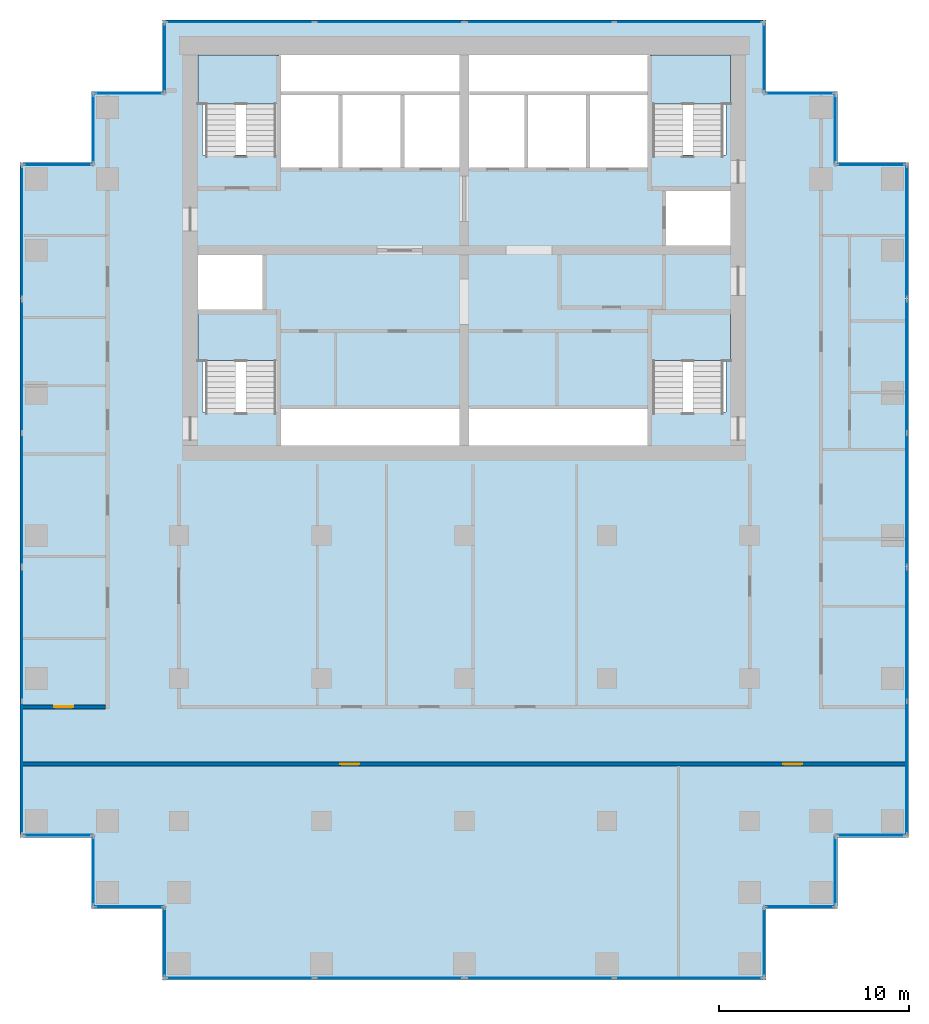
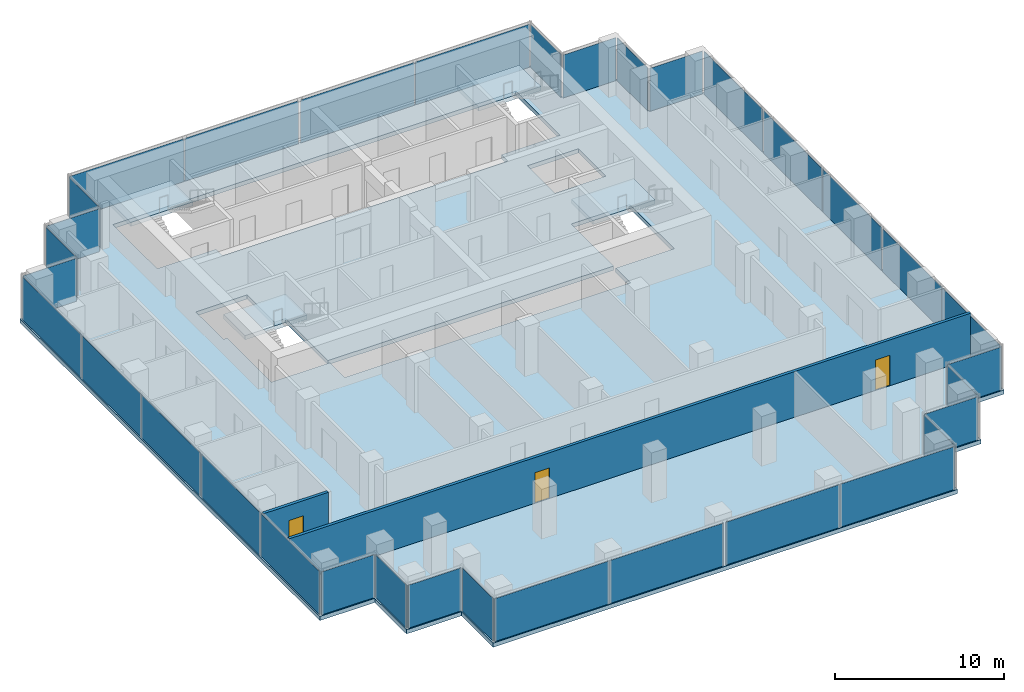
# One storey, part 6 of 10: 34 plates, 5 slabs, 3 doors, 2 walls, 3 openings, 30 elements without a shape of their own.
"""IFC4 building model written with IfcOpenShell, lengths in metres."""

from ifc_helpers import new_model, si_unit, direction, frame, frame_2d, origin, origin_2d, place, context, subcontext, project, spatial, polyline, rectangle, outline, extrude, material, layer, layer_set, type_object, element, fill, aggregate, save


model = new_model("IFC4")

# Units and contexts
model_context = context("Model", 3, precision=1e-05, world=origin(), true_north=direction((0.0, 1.0)))
body_context = subcontext(model_context, "Body", "Model", "MODEL_VIEW")
ifc_project = project(units=[si_unit("LENGTHUNIT", "METRE"), si_unit("AREAUNIT", "SQUARE_METRE"), si_unit("VOLUMEUNIT", "CUBIC_METRE"), si_unit("PLANEANGLEUNIT", "RADIAN"), si_unit("MASSUNIT", "GRAM", prefix="KILO")], contexts=[model_context])

# Site, building, storey
site_placement = place(None, origin())
site = spatial("IfcSite", under=ifc_project, at=site_placement, CompositionType="ELEMENT")
building_placement = place(site_placement, origin())
building = spatial("IfcBuilding", under=site, at=building_placement, Name="Pilkhan Gate Tower", CompositionType="ELEMENT")
storey_placement = place(building_placement, frame((0.0, 0.0, 176.5)))
storey = spatial("IfcBuildingStorey", under=building, at=storey_placement, Name="L45", CompositionType="ELEMENT", Elevation=176.5)

# Slab
ifc_material_1 = material(Name="Concrete C40/50", Category="concrete")
ifc_layer_1 = layer(ifc_material_1, 0.300048828125)
ifc_layer_set_1 = layer_set([ifc_layer_1], Name="Flat plate slab FP300")
slab_type_1 = type_object("IfcSlabType", Name="Flat plate slab FP300", PredefinedType="FLOOR", material=ifc_layer_set_1)
slab_1_placement = place(storey_placement, frame((0.0, 0.0, -0.300048828125)))
element("IfcSlab", 1, at=slab_1_placement, inside=storey, type_object=slab_type_1, Name="Floor slab L45", PredefinedType="FLOOR", context=body_context, shape_type="SweptSolid", body=[
    extrude(outline(polyline([(94.60009765625, 47.89990234375), (90.85009765625, 47.89990234375), (90.85009765625, 44.14990234375), (59.14990234375, 44.14990234375), (59.14990234375, 47.89990234375), (55.39990234375, 47.89990234375), (55.39990234375, 51.64990234375), (51.64990234375, 51.64990234375), (51.64990234375, 87.10009765625), (55.39990234375, 87.10009765625), (55.39990234375, 90.85009765625), (59.14990234375, 90.85009765625), (59.14990234375, 94.60009765625), (90.85009765625, 94.60009765625), (90.85009765625, 90.85009765625), (94.60009765625, 90.85009765625), (94.60009765625, 87.10009765625), (98.35009765625, 87.10009765625), (98.35009765625, 51.64990234375), (94.60009765625, 51.64990234375), (94.60009765625, 47.89990234375)]), holes=[polyline([(75.0, 72.25), (84.75, 72.25), (84.75, 74.0), (88.75, 74.0), (88.75, 79.25), (84.75, 79.25), (84.75, 74.25), (75.0, 74.25), (65.25, 74.25), (65.25, 79.25), (64.5, 79.25), (64.5, 82.5), (61.25, 82.5), (61.0, 82.5), (61.0, 79.25), (61.25, 79.25), (61.25, 74.0), (65.25, 74.0), (65.25, 72.25), (75.0, 72.25)]), polyline([(68.5, 86.75), (71.75, 86.75), (75.0, 86.75), (78.25, 86.75), (81.5, 86.75), (84.75, 86.75), (84.75, 87.5), (88.75, 87.5), (88.75, 92.75), (84.75, 92.75), (75.0, 92.75), (65.25, 92.75), (61.25, 92.75), (61.25, 87.5), (65.25, 87.5), (65.25, 86.75), (68.5, 86.75)]), polyline([(85.5, 85.75), (85.5, 82.5), (88.75, 82.5), (89.0, 82.5), (89.0, 85.75), (88.75, 85.75), (85.5, 85.75)])]), origin(), (0.0, 0.0, 1.0), 0.300048828125),
])

# Curtain wall, plates
ifc_material_2 = material(Name="Pale anodised aluminium, clear low-iron double glazing", Category="aluminium")
curtain_wall_type = type_object("IfcCurtainWallType", Name="Office unitised curtain wall CW-O1", PredefinedType="USERDEFINED", material=ifc_material_2)
curtain_wall_1_placement = place(storey_placement, origin())
curtain_wall_1 = element("IfcCurtainWall", 2, at=curtain_wall_1_placement, inside=storey, type_object=curtain_wall_type, Name="Office unitised curtain wall CW-O1 L45 E", ObjectType="UNITISED CURTAIN WALL", PredefinedType="USERDEFINED")
ifc_material_3 = material(Name="Clear low-iron double glazing", Category="glass")
ifc_layer_2 = layer(ifc_material_3, 0.0400390625)
ifc_layer_set_2 = layer_set([ifc_layer_2], Name="Glass panel CW-O1 40")
plate_type = type_object("IfcPlateType", Name="Glass panel CW-O1 40", PredefinedType="CURTAIN_PANEL", material=ifc_layer_set_2)
plate_1_placement = place(storey_placement, frame((98.25, 55.29248046875, 0.0), z_axis=(0.0, 0.0, 1.0), x_axis=(0.0, 1.0, 0.0)))
plate_1 = element("IfcPlate", 3, at=plate_1_placement, type_object=plate_type, Name="CW-O1 panel 1", PredefinedType="CURTAIN_PANEL", context=body_context, shape_type="SweptSolid", body=[
    extrude(rectangle(XDim=6.945068359375, YDim=0.0400390625, at=origin_2d()), origin(), (0.0, 0.0, 1.0), 3.10009765625),
])
plate_2_placement = place(storey_placement, frame((98.25, 62.3076171875, 0.0), z_axis=(0.0, 0.0, 1.0), x_axis=(0.0, 1.0, 0.0)))
plate_2 = element("IfcPlate", 4, at=plate_2_placement, type_object=plate_type, Name="CW-O1 panel 2", PredefinedType="CURTAIN_PANEL", context=body_context, shape_type="SweptSolid", body=[
    extrude(rectangle(XDim=6.945068359375, YDim=0.0400390625, at=origin_2d()), origin(), (0.0, 0.0, 1.0), 3.10009765625),
])
aggregate(curtain_wall_1, [plate_1, plate_2])

curtain_wall_2_placement = place(storey_placement, origin())
curtain_wall_2 = element("IfcCurtainWall", 5, at=curtain_wall_2_placement, inside=storey, type_object=curtain_wall_type, Name="Office unitised curtain wall CW-O1 L45 E", ObjectType="UNITISED CURTAIN WALL", PredefinedType="USERDEFINED")
plate_3_placement = place(storey_placement, frame((98.25, 69.392578125, 0.0), z_axis=(0.0, 0.0, 1.0), x_axis=(0.0, 1.0, 0.0)))
plate_3 = element("IfcPlate", 6, at=plate_3_placement, type_object=plate_type, Name="CW-O1 panel 1", PredefinedType="CURTAIN_PANEL", context=body_context, shape_type="SweptSolid", body=[
    extrude(rectangle(XDim=6.945068359375, YDim=0.0400390625, at=origin_2d()), origin(), (0.0, 0.0, 1.0), 3.10009765625),
])
plate_4_placement = place(storey_placement, frame((98.25, 76.407470703125, 0.0), z_axis=(0.0, 0.0, 1.0), x_axis=(0.0, 1.0, 0.0)))
plate_4 = element("IfcPlate", 7, at=plate_4_placement, type_object=plate_type, Name="CW-O1 panel 2", PredefinedType="CURTAIN_PANEL", context=body_context, shape_type="SweptSolid", body=[
    extrude(rectangle(XDim=6.945068359375, YDim=0.0400390625, at=origin_2d()), origin(), (0.0, 0.0, 1.0), 3.10009765625),
])
aggregate(curtain_wall_2, [plate_3, plate_4])

# Curtain wall, plate
curtain_wall_3_placement = place(storey_placement, origin())
curtain_wall_3 = element("IfcCurtainWall", 8, at=curtain_wall_3_placement, inside=storey, type_object=curtain_wall_type, Name="Office unitised curtain wall CW-O1 L45 E", ObjectType="UNITISED CURTAIN WALL", PredefinedType="USERDEFINED")
plate_5_placement = place(storey_placement, frame((98.25, 83.47509765625, 0.0), z_axis=(0.0, 0.0, 1.0), x_axis=(0.0, 1.0, 0.0)))
plate_5 = element("IfcPlate", 9, at=plate_5_placement, type_object=plate_type, Name="CW-O1 panel 1", PredefinedType="CURTAIN_PANEL", context=body_context, shape_type="SweptSolid", body=[
    extrude(rectangle(XDim=6.909912109375, YDim=0.0400390625, at=origin_2d()), origin(), (0.0, 0.0, 1.0), 3.10009765625),
])
aggregate(curtain_wall_3, [plate_5])

curtain_wall_4_placement = place(storey_placement, origin())
curtain_wall_4 = element("IfcCurtainWall", 10, at=curtain_wall_4_placement, inside=storey, type_object=curtain_wall_type, Name="Office unitised curtain wall CW-O1 L45 N", ObjectType="UNITISED CURTAIN WALL", PredefinedType="USERDEFINED")
plate_6_placement = place(storey_placement, frame((96.375, 87.0, 0.0), z_axis=(0.0, 0.0, 1.0), x_axis=(1.0, 0.0, 0.0)))
plate_6 = element("IfcPlate", 11, at=plate_6_placement, type_object=plate_type, Name="CW-O1 panel 1", PredefinedType="CURTAIN_PANEL", context=body_context, shape_type="SweptSolid", body=[
    extrude(rectangle(XDim=3.610107421875, YDim=0.0400390625, at=origin_2d()), origin(), (0.0, 0.0, 1.0), 3.10009765625),
])
aggregate(curtain_wall_4, [plate_6])

curtain_wall_5_placement = place(storey_placement, origin())
curtain_wall_5 = element("IfcCurtainWall", 12, at=curtain_wall_5_placement, inside=storey, type_object=curtain_wall_type, Name="Office unitised curtain wall CW-O1 L45 E", ObjectType="UNITISED CURTAIN WALL", PredefinedType="USERDEFINED")
plate_7_placement = place(storey_placement, frame((94.5, 88.875, 0.0), z_axis=(0.0, 0.0, 1.0), x_axis=(0.0, 1.0, 0.0)))
plate_7 = element("IfcPlate", 13, at=plate_7_placement, type_object=plate_type, Name="CW-O1 panel 1", PredefinedType="CURTAIN_PANEL", context=body_context, shape_type="SweptSolid", body=[
    extrude(rectangle(XDim=3.610107421875, YDim=0.0400390625, at=origin_2d()), origin(), (0.0, 0.0, 1.0), 3.10009765625),
])
aggregate(curtain_wall_5, [plate_7])

curtain_wall_6_placement = place(storey_placement, origin())
curtain_wall_6 = element("IfcCurtainWall", 14, at=curtain_wall_6_placement, inside=storey, type_object=curtain_wall_type, Name="Office unitised curtain wall CW-O1 L45 N", ObjectType="UNITISED CURTAIN WALL", PredefinedType="USERDEFINED")
plate_8_placement = place(storey_placement, frame((92.625, 90.75, 0.0), z_axis=(0.0, 0.0, 1.0), x_axis=(1.0, 0.0, 0.0)))
plate_8 = element("IfcPlate", 15, at=plate_8_placement, type_object=plate_type, Name="CW-O1 panel 1", PredefinedType="CURTAIN_PANEL", context=body_context, shape_type="SweptSolid", body=[
    extrude(rectangle(XDim=3.610107421875, YDim=0.0400390625, at=origin_2d()), origin(), (0.0, 0.0, 1.0), 3.10009765625),
])
aggregate(curtain_wall_6, [plate_8])

curtain_wall_7_placement = place(storey_placement, origin())
curtain_wall_7 = element("IfcCurtainWall", 16, at=curtain_wall_7_placement, inside=storey, type_object=curtain_wall_type, Name="Office unitised curtain wall CW-O1 L45 E", ObjectType="UNITISED CURTAIN WALL", PredefinedType="USERDEFINED")
plate_9_placement = place(storey_placement, frame((90.75, 92.625, 0.0), z_axis=(0.0, 0.0, 1.0), x_axis=(0.0, 1.0, 0.0)))
plate_9 = element("IfcPlate", 17, at=plate_9_placement, type_object=plate_type, Name="CW-O1 panel 1", PredefinedType="CURTAIN_PANEL", context=body_context, shape_type="SweptSolid", body=[
    extrude(rectangle(XDim=3.610107421875, YDim=0.0400390625, at=origin_2d()), origin(), (0.0, 0.0, 1.0), 3.10009765625),
])
aggregate(curtain_wall_7, [plate_9])

# Curtain wall, plates
curtain_wall_8_placement = place(storey_placement, origin())
curtain_wall_8 = element("IfcCurtainWall", 18, at=curtain_wall_8_placement, inside=storey, type_object=curtain_wall_type, Name="Office unitised curtain wall CW-O1 L45 N", ObjectType="UNITISED CURTAIN WALL", PredefinedType="USERDEFINED")
plate_10_placement = place(storey_placement, frame((63.205078125, 94.5, 0.0), z_axis=(0.0, 0.0, 1.0), x_axis=(1.0, 0.0, 0.0)))
plate_10 = element("IfcPlate", 19, at=plate_10_placement, type_object=plate_type, Name="CW-O1 panel 1", PredefinedType="CURTAIN_PANEL", context=body_context, shape_type="SweptSolid", body=[
    extrude(rectangle(XDim=7.77001953125, YDim=0.0400390625, at=origin_2d()), origin(), (0.0, 0.0, 1.0), 3.10009765625),
])
plate_11_placement = place(storey_placement, frame((71.044921875, 94.5, 0.0), z_axis=(0.0, 0.0, 1.0), x_axis=(1.0, 0.0, 0.0)))
plate_11 = element("IfcPlate", 20, at=plate_11_placement, type_object=plate_type, Name="CW-O1 panel 2", PredefinedType="CURTAIN_PANEL", context=body_context, shape_type="SweptSolid", body=[
    extrude(rectangle(XDim=7.77001953125, YDim=0.0400390625, at=origin_2d()), origin(), (0.0, 0.0, 1.0), 3.10009765625),
])
aggregate(curtain_wall_8, [plate_10, plate_11])

curtain_wall_9_placement = place(storey_placement, origin())
curtain_wall_9 = element("IfcCurtainWall", 21, at=curtain_wall_9_placement, inside=storey, type_object=curtain_wall_type, Name="Office unitised curtain wall CW-O1 L45 N", ObjectType="UNITISED CURTAIN WALL", PredefinedType="USERDEFINED")
plate_12_placement = place(storey_placement, frame((78.955078125, 94.5, 0.0), z_axis=(0.0, 0.0, 1.0), x_axis=(1.0, 0.0, 0.0)))
plate_12 = element("IfcPlate", 22, at=plate_12_placement, type_object=plate_type, Name="CW-O1 panel 1", PredefinedType="CURTAIN_PANEL", context=body_context, shape_type="SweptSolid", body=[
    extrude(rectangle(XDim=7.77001953125, YDim=0.0400390625, at=origin_2d()), origin(), (0.0, 0.0, 1.0), 3.10009765625),
])
plate_13_placement = place(storey_placement, frame((86.794921875, 94.5, 0.0), z_axis=(0.0, 0.0, 1.0), x_axis=(1.0, 0.0, 0.0)))
plate_13 = element("IfcPlate", 23, at=plate_13_placement, type_object=plate_type, Name="CW-O1 panel 2", PredefinedType="CURTAIN_PANEL", context=body_context, shape_type="SweptSolid", body=[
    extrude(rectangle(XDim=7.77001953125, YDim=0.0400390625, at=origin_2d()), origin(), (0.0, 0.0, 1.0), 3.10009765625),
])
aggregate(curtain_wall_9, [plate_12, plate_13])

# Curtain wall, plate
curtain_wall_10_placement = place(storey_placement, origin())
curtain_wall_10 = element("IfcCurtainWall", 24, at=curtain_wall_10_placement, inside=storey, type_object=curtain_wall_type, Name="Office unitised curtain wall CW-O1 L45 W", ObjectType="UNITISED CURTAIN WALL", PredefinedType="USERDEFINED")
plate_14_placement = place(storey_placement, frame((59.25, 92.625, 0.0), z_axis=(0.0, 0.0, 1.0), x_axis=(0.0, 1.0, 0.0)))
plate_14 = element("IfcPlate", 25, at=plate_14_placement, type_object=plate_type, Name="CW-O1 panel 1", PredefinedType="CURTAIN_PANEL", context=body_context, shape_type="SweptSolid", body=[
    extrude(rectangle(XDim=3.610107421875, YDim=0.0400390625, at=origin_2d()), origin(), (0.0, 0.0, 1.0), 3.10009765625),
])
aggregate(curtain_wall_10, [plate_14])

curtain_wall_11_placement = place(storey_placement, origin())
curtain_wall_11 = element("IfcCurtainWall", 26, at=curtain_wall_11_placement, inside=storey, type_object=curtain_wall_type, Name="Office unitised curtain wall CW-O1 L45 N", ObjectType="UNITISED CURTAIN WALL", PredefinedType="USERDEFINED")
plate_15_placement = place(storey_placement, frame((57.375, 90.75, 0.0), z_axis=(0.0, 0.0, 1.0), x_axis=(1.0, 0.0, 0.0)))
plate_15 = element("IfcPlate", 27, at=plate_15_placement, type_object=plate_type, Name="CW-O1 panel 1", PredefinedType="CURTAIN_PANEL", context=body_context, shape_type="SweptSolid", body=[
    extrude(rectangle(XDim=3.610107421875, YDim=0.0400390625, at=origin_2d()), origin(), (0.0, 0.0, 1.0), 3.10009765625),
])
aggregate(curtain_wall_11, [plate_15])

curtain_wall_12_placement = place(storey_placement, origin())
curtain_wall_12 = element("IfcCurtainWall", 28, at=curtain_wall_12_placement, inside=storey, type_object=curtain_wall_type, Name="Office unitised curtain wall CW-O1 L45 W", ObjectType="UNITISED CURTAIN WALL", PredefinedType="USERDEFINED")
plate_16_placement = place(storey_placement, frame((55.5, 88.875, 0.0), z_axis=(0.0, 0.0, 1.0), x_axis=(0.0, 1.0, 0.0)))
plate_16 = element("IfcPlate", 29, at=plate_16_placement, type_object=plate_type, Name="CW-O1 panel 1", PredefinedType="CURTAIN_PANEL", context=body_context, shape_type="SweptSolid", body=[
    extrude(rectangle(XDim=3.610107421875, YDim=0.0400390625, at=origin_2d()), origin(), (0.0, 0.0, 1.0), 3.10009765625),
])
aggregate(curtain_wall_12, [plate_16])

curtain_wall_13_placement = place(storey_placement, origin())
curtain_wall_13 = element("IfcCurtainWall", 30, at=curtain_wall_13_placement, inside=storey, type_object=curtain_wall_type, Name="Office unitised curtain wall CW-O1 L45 N", ObjectType="UNITISED CURTAIN WALL", PredefinedType="USERDEFINED")
plate_17_placement = place(storey_placement, frame((53.625, 87.0, 0.0), z_axis=(0.0, 0.0, 1.0), x_axis=(1.0, 0.0, 0.0)))
plate_17 = element("IfcPlate", 31, at=plate_17_placement, type_object=plate_type, Name="CW-O1 panel 1", PredefinedType="CURTAIN_PANEL", context=body_context, shape_type="SweptSolid", body=[
    extrude(rectangle(XDim=3.610107421875, YDim=0.0400390625, at=origin_2d()), origin(), (0.0, 0.0, 1.0), 3.10009765625),
])
aggregate(curtain_wall_13, [plate_17])

# Curtain wall, plates
curtain_wall_14_placement = place(storey_placement, origin())
curtain_wall_14 = element("IfcCurtainWall", 32, at=curtain_wall_14_placement, inside=storey, type_object=curtain_wall_type, Name="Office unitised curtain wall CW-O1 L45 W", ObjectType="UNITISED CURTAIN WALL", PredefinedType="USERDEFINED")
plate_18_placement = place(storey_placement, frame((51.75, 55.29248046875, 0.0), z_axis=(0.0, 0.0, 1.0), x_axis=(0.0, 1.0, 0.0)))
plate_18 = element("IfcPlate", 33, at=plate_18_placement, type_object=plate_type, Name="CW-O1 panel 1", PredefinedType="CURTAIN_PANEL", context=body_context, shape_type="SweptSolid", body=[
    extrude(rectangle(XDim=6.945068359375, YDim=0.0400390625, at=origin_2d()), origin(), (0.0, 0.0, 1.0), 3.10009765625),
])
plate_19_placement = place(storey_placement, frame((51.75, 62.3076171875, 0.0), z_axis=(0.0, 0.0, 1.0), x_axis=(0.0, 1.0, 0.0)))
plate_19 = element("IfcPlate", 34, at=plate_19_placement, type_object=plate_type, Name="CW-O1 panel 2", PredefinedType="CURTAIN_PANEL", context=body_context, shape_type="SweptSolid", body=[
    extrude(rectangle(XDim=6.945068359375, YDim=0.0400390625, at=origin_2d()), origin(), (0.0, 0.0, 1.0), 3.10009765625),
])
aggregate(curtain_wall_14, [plate_18, plate_19])

curtain_wall_15_placement = place(storey_placement, origin())
curtain_wall_15 = element("IfcCurtainWall", 35, at=curtain_wall_15_placement, inside=storey, type_object=curtain_wall_type, Name="Office unitised curtain wall CW-O1 L45 W", ObjectType="UNITISED CURTAIN WALL", PredefinedType="USERDEFINED")
plate_20_placement = place(storey_placement, frame((51.75, 69.392578125, 0.0), z_axis=(0.0, 0.0, 1.0), x_axis=(0.0, 1.0, 0.0)))
plate_20 = element("IfcPlate", 36, at=plate_20_placement, type_object=plate_type, Name="CW-O1 panel 1", PredefinedType="CURTAIN_PANEL", context=body_context, shape_type="SweptSolid", body=[
    extrude(rectangle(XDim=6.945068359375, YDim=0.0400390625, at=origin_2d()), origin(), (0.0, 0.0, 1.0), 3.10009765625),
])
plate_21_placement = place(storey_placement, frame((51.75, 76.407470703125, 0.0), z_axis=(0.0, 0.0, 1.0), x_axis=(0.0, 1.0, 0.0)))
plate_21 = element("IfcPlate", 37, at=plate_21_placement, type_object=plate_type, Name="CW-O1 panel 2", PredefinedType="CURTAIN_PANEL", context=body_context, shape_type="SweptSolid", body=[
    extrude(rectangle(XDim=6.945068359375, YDim=0.0400390625, at=origin_2d()), origin(), (0.0, 0.0, 1.0), 3.10009765625),
])
aggregate(curtain_wall_15, [plate_20, plate_21])

# Curtain wall, plate
curtain_wall_16_placement = place(storey_placement, origin())
curtain_wall_16 = element("IfcCurtainWall", 38, at=curtain_wall_16_placement, inside=storey, type_object=curtain_wall_type, Name="Office unitised curtain wall CW-O1 L45 W", ObjectType="UNITISED CURTAIN WALL", PredefinedType="USERDEFINED")
plate_22_placement = place(storey_placement, frame((51.75, 83.47509765625, 0.0), z_axis=(0.0, 0.0, 1.0), x_axis=(0.0, 1.0, 0.0)))
plate_22 = element("IfcPlate", 39, at=plate_22_placement, type_object=plate_type, Name="CW-O1 panel 1", PredefinedType="CURTAIN_PANEL", context=body_context, shape_type="SweptSolid", body=[
    extrude(rectangle(XDim=6.909912109375, YDim=0.0400390625, at=origin_2d()), origin(), (0.0, 0.0, 1.0), 3.10009765625),
])
aggregate(curtain_wall_16, [plate_22])

curtain_wall_17_placement = place(storey_placement, origin())
curtain_wall_17 = element("IfcCurtainWall", 40, at=curtain_wall_17_placement, inside=storey, type_object=curtain_wall_type, Name="Office unitised curtain wall CW-O1 L45 S", ObjectType="UNITISED CURTAIN WALL", PredefinedType="USERDEFINED")
plate_23_placement = place(storey_placement, frame((53.625, 51.75, 0.0), z_axis=(0.0, 0.0, 1.0), x_axis=(1.0, 0.0, 0.0)))
plate_23 = element("IfcPlate", 41, at=plate_23_placement, type_object=plate_type, Name="CW-O1 panel 1", PredefinedType="CURTAIN_PANEL", context=body_context, shape_type="SweptSolid", body=[
    extrude(rectangle(XDim=3.610107421875, YDim=0.0400390625, at=origin_2d()), origin(), (0.0, 0.0, 1.0), 3.10009765625),
])
aggregate(curtain_wall_17, [plate_23])

curtain_wall_18_placement = place(storey_placement, origin())
curtain_wall_18 = element("IfcCurtainWall", 42, at=curtain_wall_18_placement, inside=storey, type_object=curtain_wall_type, Name="Office unitised curtain wall CW-O1 L45 W", ObjectType="UNITISED CURTAIN WALL", PredefinedType="USERDEFINED")
plate_24_placement = place(storey_placement, frame((55.5, 49.875, 0.0), z_axis=(0.0, 0.0, 1.0), x_axis=(0.0, 1.0, 0.0)))
plate_24 = element("IfcPlate", 43, at=plate_24_placement, type_object=plate_type, Name="CW-O1 panel 1", PredefinedType="CURTAIN_PANEL", context=body_context, shape_type="SweptSolid", body=[
    extrude(rectangle(XDim=3.610107421875, YDim=0.0400390625, at=origin_2d()), origin(), (0.0, 0.0, 1.0), 3.10009765625),
])
aggregate(curtain_wall_18, [plate_24])

curtain_wall_19_placement = place(storey_placement, origin())
curtain_wall_19 = element("IfcCurtainWall", 44, at=curtain_wall_19_placement, inside=storey, type_object=curtain_wall_type, Name="Office unitised curtain wall CW-O1 L45 S", ObjectType="UNITISED CURTAIN WALL", PredefinedType="USERDEFINED")
plate_25_placement = place(storey_placement, frame((57.375, 48.0, 0.0), z_axis=(0.0, 0.0, 1.0), x_axis=(1.0, 0.0, 0.0)))
plate_25 = element("IfcPlate", 45, at=plate_25_placement, type_object=plate_type, Name="CW-O1 panel 1", PredefinedType="CURTAIN_PANEL", context=body_context, shape_type="SweptSolid", body=[
    extrude(rectangle(XDim=3.610107421875, YDim=0.0400390625, at=origin_2d()), origin(), (0.0, 0.0, 1.0), 3.10009765625),
])
aggregate(curtain_wall_19, [plate_25])

curtain_wall_20_placement = place(storey_placement, origin())
curtain_wall_20 = element("IfcCurtainWall", 46, at=curtain_wall_20_placement, inside=storey, type_object=curtain_wall_type, Name="Office unitised curtain wall CW-O1 L45 W", ObjectType="UNITISED CURTAIN WALL", PredefinedType="USERDEFINED")
plate_26_placement = place(storey_placement, frame((59.25, 46.125, 0.0), z_axis=(0.0, 0.0, 1.0), x_axis=(0.0, 1.0, 0.0)))
plate_26 = element("IfcPlate", 47, at=plate_26_placement, type_object=plate_type, Name="CW-O1 panel 1", PredefinedType="CURTAIN_PANEL", context=body_context, shape_type="SweptSolid", body=[
    extrude(rectangle(XDim=3.610107421875, YDim=0.0400390625, at=origin_2d()), origin(), (0.0, 0.0, 1.0), 3.10009765625),
])
aggregate(curtain_wall_20, [plate_26])

# Curtain wall, plates
curtain_wall_21_placement = place(storey_placement, origin())
curtain_wall_21 = element("IfcCurtainWall", 48, at=curtain_wall_21_placement, inside=storey, type_object=curtain_wall_type, Name="Office unitised curtain wall CW-O1 L45 S", ObjectType="UNITISED CURTAIN WALL", PredefinedType="USERDEFINED")
plate_27_placement = place(storey_placement, frame((63.205078125, 44.25, 0.0), z_axis=(0.0, 0.0, 1.0), x_axis=(1.0, 0.0, 0.0)))
plate_27 = element("IfcPlate", 49, at=plate_27_placement, type_object=plate_type, Name="CW-O1 panel 1", PredefinedType="CURTAIN_PANEL", context=body_context, shape_type="SweptSolid", body=[
    extrude(rectangle(XDim=7.77001953125, YDim=0.0400390625, at=origin_2d()), origin(), (0.0, 0.0, 1.0), 3.10009765625),
])
plate_28_placement = place(storey_placement, frame((71.044921875, 44.25, 0.0), z_axis=(0.0, 0.0, 1.0), x_axis=(1.0, 0.0, 0.0)))
plate_28 = element("IfcPlate", 50, at=plate_28_placement, type_object=plate_type, Name="CW-O1 panel 2", PredefinedType="CURTAIN_PANEL", context=body_context, shape_type="SweptSolid", body=[
    extrude(rectangle(XDim=7.77001953125, YDim=0.0400390625, at=origin_2d()), origin(), (0.0, 0.0, 1.0), 3.10009765625),
])
aggregate(curtain_wall_21, [plate_27, plate_28])

curtain_wall_22_placement = place(storey_placement, origin())
curtain_wall_22 = element("IfcCurtainWall", 51, at=curtain_wall_22_placement, inside=storey, type_object=curtain_wall_type, Name="Office unitised curtain wall CW-O1 L45 S", ObjectType="UNITISED CURTAIN WALL", PredefinedType="USERDEFINED")
plate_29_placement = place(storey_placement, frame((78.955078125, 44.25, 0.0), z_axis=(0.0, 0.0, 1.0), x_axis=(1.0, 0.0, 0.0)))
plate_29 = element("IfcPlate", 52, at=plate_29_placement, type_object=plate_type, Name="CW-O1 panel 1", PredefinedType="CURTAIN_PANEL", context=body_context, shape_type="SweptSolid", body=[
    extrude(rectangle(XDim=7.77001953125, YDim=0.0400390625, at=origin_2d()), origin(), (0.0, 0.0, 1.0), 3.10009765625),
])
plate_30_placement = place(storey_placement, frame((86.794921875, 44.25, 0.0), z_axis=(0.0, 0.0, 1.0), x_axis=(1.0, 0.0, 0.0)))
plate_30 = element("IfcPlate", 53, at=plate_30_placement, type_object=plate_type, Name="CW-O1 panel 2", PredefinedType="CURTAIN_PANEL", context=body_context, shape_type="SweptSolid", body=[
    extrude(rectangle(XDim=7.77001953125, YDim=0.0400390625, at=origin_2d()), origin(), (0.0, 0.0, 1.0), 3.10009765625),
])
aggregate(curtain_wall_22, [plate_29, plate_30])

# Curtain wall, plate
curtain_wall_23_placement = place(storey_placement, origin())
curtain_wall_23 = element("IfcCurtainWall", 54, at=curtain_wall_23_placement, inside=storey, type_object=curtain_wall_type, Name="Office unitised curtain wall CW-O1 L45 E", ObjectType="UNITISED CURTAIN WALL", PredefinedType="USERDEFINED")
plate_31_placement = place(storey_placement, frame((90.75, 46.125, 0.0), z_axis=(0.0, 0.0, 1.0), x_axis=(0.0, 1.0, 0.0)))
plate_31 = element("IfcPlate", 55, at=plate_31_placement, type_object=plate_type, Name="CW-O1 panel 1", PredefinedType="CURTAIN_PANEL", context=body_context, shape_type="SweptSolid", body=[
    extrude(rectangle(XDim=3.610107421875, YDim=0.0400390625, at=origin_2d()), origin(), (0.0, 0.0, 1.0), 3.10009765625),
])
aggregate(curtain_wall_23, [plate_31])

curtain_wall_24_placement = place(storey_placement, origin())
curtain_wall_24 = element("IfcCurtainWall", 56, at=curtain_wall_24_placement, inside=storey, type_object=curtain_wall_type, Name="Office unitised curtain wall CW-O1 L45 S", ObjectType="UNITISED CURTAIN WALL", PredefinedType="USERDEFINED")
plate_32_placement = place(storey_placement, frame((92.625, 48.0, 0.0), z_axis=(0.0, 0.0, 1.0), x_axis=(1.0, 0.0, 0.0)))
plate_32 = element("IfcPlate", 57, at=plate_32_placement, type_object=plate_type, Name="CW-O1 panel 1", PredefinedType="CURTAIN_PANEL", context=body_context, shape_type="SweptSolid", body=[
    extrude(rectangle(XDim=3.610107421875, YDim=0.0400390625, at=origin_2d()), origin(), (0.0, 0.0, 1.0), 3.10009765625),
])
aggregate(curtain_wall_24, [plate_32])

curtain_wall_25_placement = place(storey_placement, origin())
curtain_wall_25 = element("IfcCurtainWall", 58, at=curtain_wall_25_placement, inside=storey, type_object=curtain_wall_type, Name="Office unitised curtain wall CW-O1 L45 E", ObjectType="UNITISED CURTAIN WALL", PredefinedType="USERDEFINED")
plate_33_placement = place(storey_placement, frame((94.5, 49.875, 0.0), z_axis=(0.0, 0.0, 1.0), x_axis=(0.0, 1.0, 0.0)))
plate_33 = element("IfcPlate", 59, at=plate_33_placement, type_object=plate_type, Name="CW-O1 panel 1", PredefinedType="CURTAIN_PANEL", context=body_context, shape_type="SweptSolid", body=[
    extrude(rectangle(XDim=3.610107421875, YDim=0.0400390625, at=origin_2d()), origin(), (0.0, 0.0, 1.0), 3.10009765625),
])
aggregate(curtain_wall_25, [plate_33])

curtain_wall_26_placement = place(storey_placement, origin())
curtain_wall_26 = element("IfcCurtainWall", 60, at=curtain_wall_26_placement, inside=storey, type_object=curtain_wall_type, Name="Office unitised curtain wall CW-O1 L45 S", ObjectType="UNITISED CURTAIN WALL", PredefinedType="USERDEFINED")
plate_34_placement = place(storey_placement, frame((96.375, 51.75, 0.0), z_axis=(0.0, 0.0, 1.0), x_axis=(1.0, 0.0, 0.0)))
plate_34 = element("IfcPlate", 61, at=plate_34_placement, type_object=plate_type, Name="CW-O1 panel 1", PredefinedType="CURTAIN_PANEL", context=body_context, shape_type="SweptSolid", body=[
    extrude(rectangle(XDim=3.610107421875, YDim=0.0400390625, at=origin_2d()), origin(), (0.0, 0.0, 1.0), 3.10009765625),
])
aggregate(curtain_wall_26, [plate_34])

# Stair, slab
ifc_material_4 = material(Name="Concrete C40/50 precast", Category="concrete")
stair_type_1 = type_object("IfcStairType", Name="Stair ST1 164x280", PredefinedType="HALF_TURN_STAIR", material=ifc_material_4)
stair_1_placement = place(storey_placement, origin())
stair_1 = element("IfcStair", 62, at=stair_1_placement, inside=storey, type_object=stair_type_1, Name="Stair ST1 L45", PredefinedType="HALF_TURN_STAIR")
ifc_layer_3 = layer(ifc_material_1, 0.199951171875)
ifc_layer_set_3 = layer_set([ifc_layer_3], Name="Stair landing SL200")
slab_type_2 = type_object("IfcSlabType", Name="Stair landing SL200", PredefinedType="LANDING", material=ifc_layer_set_3)
slab_2_placement = place(storey_placement, frame((0.0, 0.0, 1.5)))
slab_2 = element("IfcSlab", 63, at=slab_2_placement, type_object=slab_type_2, Name="ST1 landing 1", PredefinedType="LANDING", context=body_context, shape_type="SweptSolid", body=[
    extrude(outline(polyline([(89.0, 76.699951171875), (89.0, 79.25), (84.75, 79.25), (84.75, 76.699951171875), (89.0, 76.699951171875)])), origin(), (0.0, 0.0, 1.0), 0.300048828125),
])
aggregate(stair_1, [slab_2])

stair_type_2 = type_object("IfcStairType", Name="Stair ST2 164x280", PredefinedType="HALF_TURN_STAIR", material=ifc_material_4)
stair_2_placement = place(storey_placement, origin())
stair_2 = element("IfcStair", 64, at=stair_2_placement, inside=storey, type_object=stair_type_2, Name="Stair ST2 L45", PredefinedType="HALF_TURN_STAIR")
slab_3_placement = place(storey_placement, frame((0.0, 0.0, 1.5)))
slab_3 = element("IfcSlab", 65, at=slab_3_placement, type_object=slab_type_2, Name="ST2 landing 1", PredefinedType="LANDING", context=body_context, shape_type="SweptSolid", body=[
    extrude(outline(polyline([(65.25, 76.699951171875), (65.25, 79.25), (61.0, 79.25), (61.0, 76.699951171875), (65.25, 76.699951171875)])), origin(), (0.0, 0.0, 1.0), 0.300048828125),
])
aggregate(stair_2, [slab_3])

stair_type_3 = type_object("IfcStairType", Name="Stair ST3 164x280", PredefinedType="HALF_TURN_STAIR", material=ifc_material_4)
stair_3_placement = place(storey_placement, origin())
stair_3 = element("IfcStair", 66, at=stair_3_placement, inside=storey, type_object=stair_type_3, Name="Stair ST3 L45", PredefinedType="HALF_TURN_STAIR")
slab_4_placement = place(storey_placement, frame((0.0, 0.0, 1.5)))
slab_4 = element("IfcSlab", 67, at=slab_4_placement, type_object=slab_type_2, Name="ST3 landing 1", PredefinedType="LANDING", context=body_context, shape_type="SweptSolid", body=[
    extrude(outline(polyline([(65.25, 90.199951171875), (65.25, 92.75), (61.0, 92.75), (61.0, 90.199951171875), (65.25, 90.199951171875)])), origin(), (0.0, 0.0, 1.0), 0.300048828125),
])
aggregate(stair_3, [slab_4])

stair_type_4 = type_object("IfcStairType", Name="Stair ST4 164x280", PredefinedType="HALF_TURN_STAIR", material=ifc_material_4)
stair_4_placement = place(storey_placement, origin())
stair_4 = element("IfcStair", 68, at=stair_4_placement, inside=storey, type_object=stair_type_4, Name="Stair ST4 L45", PredefinedType="HALF_TURN_STAIR")
slab_5_placement = place(storey_placement, frame((0.0, 0.0, 1.5)))
slab_5 = element("IfcSlab", 69, at=slab_5_placement, type_object=slab_type_2, Name="ST4 landing 1", PredefinedType="LANDING", context=body_context, shape_type="SweptSolid", body=[
    extrude(outline(polyline([(89.0, 90.199951171875), (89.0, 92.75), (84.75, 92.75), (84.75, 90.199951171875), (89.0, 90.199951171875)])), origin(), (0.0, 0.0, 1.0), 0.300048828125),
])
aggregate(stair_4, [slab_5])

# Wall, openings, doors
ifc_material_5 = material(Name="Dense blockwork", Category="masonry")
ifc_layer_4 = layer(ifc_material_5, 0.199951171875)
ifc_layer_set_4 = layer_set([ifc_layer_4], Name="Corridor wall FW200")
wall_type = type_object("IfcWallType", Name="Corridor wall FW200", PredefinedType="PARTITIONING", material=ifc_layer_set_4)
wall_1_placement = place(storey_placement, frame((51.735107421875, 55.5, 0.0), z_axis=(0.0, 0.0, 1.0), x_axis=(1.0, 0.0, 0.0)))
wall_1 = element("IfcWall", 70, at=wall_1_placement, inside=storey, type_object=wall_type, Name="Partition L45", PredefinedType="PARTITIONING", context=body_context, shape_type="SweptSolid", body=[
    extrude(rectangle(XDim=46.52978515625, YDim=0.199951171875, at=frame_2d((23.264892578125, 0.0))), origin(), (0.0, 0.0, 1.0), 3.300048828125),
])
opening_1_placement = place(wall_1_placement, frame((16.75, 0.0, 0.0)))
opening_1 = element("IfcOpeningElement", 71, at=opening_1_placement, cuts=wall_1, Name="Opening L45-15", PredefinedType="OPENING", context=body_context, shape_type="SweptSolid", body=[
    extrude(rectangle(XDim=1.0, YDim=2.199951171875, at=frame_2d((0.5, 1.10009765625))), frame((0.0, 0.10986328125, 0.0), z_axis=(0.0, -1.0, 0.0), x_axis=(1.0, 0.0, 0.0)), (0.0, 0.0, 1.0), 0.219970703125),
])
opening_2_placement = place(wall_1_placement, frame((40.014892578125, 0.0, 0.0)))
opening_2 = element("IfcOpeningElement", 72, at=opening_2_placement, cuts=wall_1, Name="Opening L45-16", PredefinedType="OPENING", context=body_context, shape_type="SweptSolid", body=[
    extrude(rectangle(XDim=1.0, YDim=2.199951171875, at=frame_2d((0.5, 1.10009765625))), frame((0.0, 0.10986328125, 0.0), z_axis=(0.0, -1.0, 0.0), x_axis=(1.0, 0.0, 0.0)), (0.0, 0.0, 1.0), 0.219970703125),
])
ifc_material_6 = material(Name="Timber flush door, 30 minute fire resisting", Category="wood")
door_type = type_object("IfcDoorType", Name="Room door D03 1000x2200", OperationType="SINGLE_SWING_LEFT", PredefinedType="DOOR", material=ifc_material_6)
door_1_placement = place(opening_1_placement, origin())
door_1 = element("IfcDoor", 73, at=door_1_placement, inside=storey, type_object=door_type, Name="Room door", OperationType="SINGLE_SWING_RIGHT", OverallHeight=2.199951171875, OverallWidth=1.0, PredefinedType="DOOR", context=body_context, shape_type="SweptSolid", body=[
    extrude(rectangle(XDim=1.0, YDim=2.199951171875, at=frame_2d((0.5, 1.10009765625))), frame((0.0, 0.02490234375, 0.0), z_axis=(0.0, -1.0, 0.0), x_axis=(1.0, 0.0, 0.0)), (0.0, 0.0, 1.0), 0.050048828125),
])
fill(opening_1, door_1)
door_2_placement = place(opening_2_placement, origin())
door_2 = element("IfcDoor", 74, at=door_2_placement, inside=storey, type_object=door_type, Name="Room door", OperationType="SINGLE_SWING_LEFT", OverallHeight=2.199951171875, OverallWidth=1.0, PredefinedType="DOOR", context=body_context, shape_type="SweptSolid", body=[
    extrude(rectangle(XDim=1.0, YDim=2.199951171875, at=frame_2d((0.5, 1.10009765625))), frame((0.0, 0.02490234375, 0.0), z_axis=(0.0, -1.0, 0.0), x_axis=(1.0, 0.0, 0.0)), (0.0, 0.0, 1.0), 0.050048828125),
])
fill(opening_2, door_2)

# Wall, opening, door
wall_2_placement = place(storey_placement, frame((51.735107421875, 58.5, 0.0), z_axis=(0.0, 0.0, 1.0), x_axis=(1.0, 0.0, 0.0)))
wall_2 = element("IfcWall", 75, at=wall_2_placement, inside=storey, type_object=wall_type, Name="Partition L45", PredefinedType="PARTITIONING", context=body_context, shape_type="SweptSolid", body=[
    extrude(rectangle(XDim=4.414794921875, YDim=0.199951171875, at=frame_2d((2.20751953125, 0.0))), origin(), (0.0, 0.0, 1.0), 3.300048828125),
])
opening_3_placement = place(wall_2_placement, frame((1.699951171875, 0.0, 0.0)))
opening_3 = element("IfcOpeningElement", 76, at=opening_3_placement, cuts=wall_2, Name="Opening L45-17", PredefinedType="OPENING", context=body_context, shape_type="SweptSolid", body=[
    extrude(rectangle(XDim=1.0, YDim=2.199951171875, at=frame_2d((0.5, 1.10009765625))), frame((0.0, 0.10986328125, 0.0), z_axis=(0.0, -1.0, 0.0), x_axis=(1.0, 0.0, 0.0)), (0.0, 0.0, 1.0), 0.219970703125),
])
door_3_placement = place(opening_3_placement, origin())
door_3 = element("IfcDoor", 77, at=door_3_placement, inside=storey, type_object=door_type, Name="Room door", OperationType="SINGLE_SWING_RIGHT", OverallHeight=2.199951171875, OverallWidth=1.0, PredefinedType="DOOR", context=body_context, shape_type="SweptSolid", body=[
    extrude(rectangle(XDim=1.0, YDim=2.199951171875, at=frame_2d((0.5, 1.10009765625))), frame((0.0, 0.02490234375, 0.0), z_axis=(0.0, -1.0, 0.0), x_axis=(1.0, 0.0, 0.0)), (0.0, 0.0, 1.0), 0.050048828125),
])
fill(opening_3, door_3)

save(model, "model.ifc")
